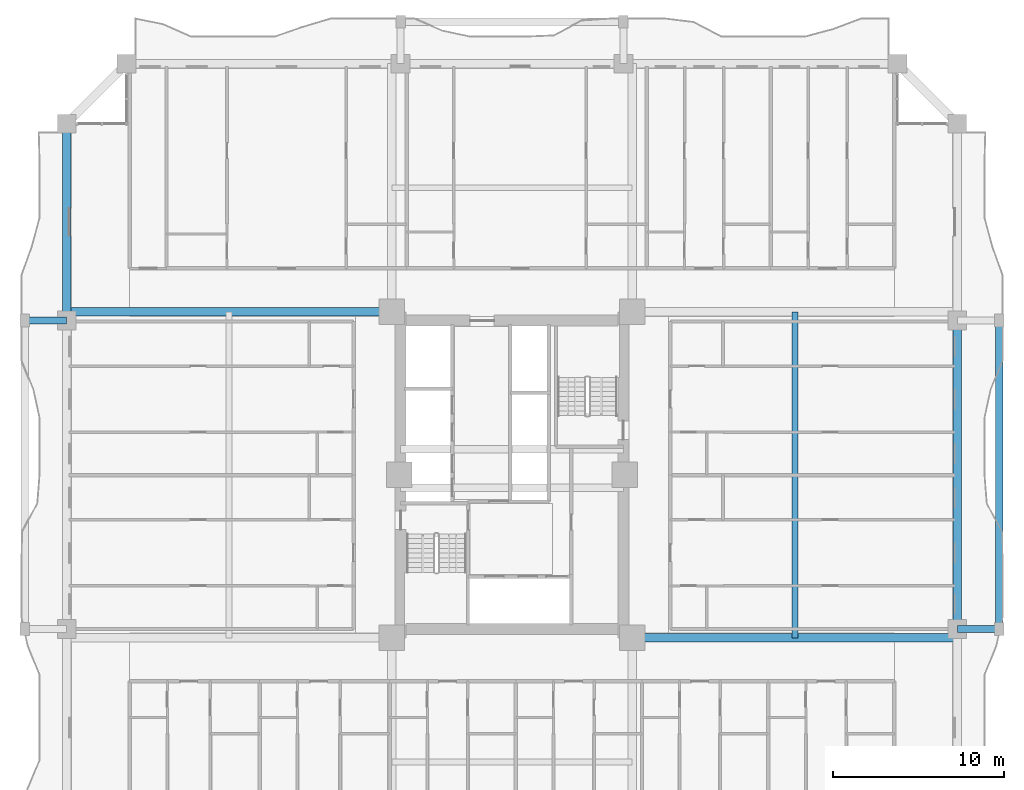
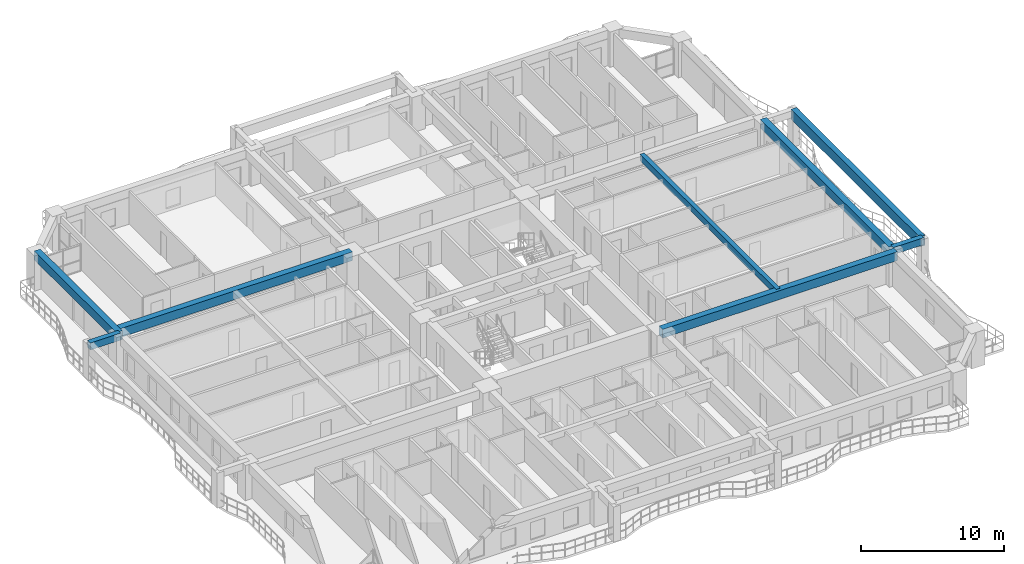
# One storey, part 5 of 28: 8 beams.
"""IFC4 building model written with IfcOpenShell, lengths in metres."""

from ifc_helpers import new_model, si_unit, direction, frame, origin, origin_2d, place, context, subcontext, project, spatial, rectangle, extrude, source, transform, mapped, material, material_profile, profile_set, type_object, element, save


model = new_model("IFC4")

# Units and contexts
model_context = context("Model", 3, precision=1e-05, world=origin(), true_north=direction((0.0, 1.0)))
body_context = subcontext(model_context, "Body", "Model", "MODEL_VIEW")
ifc_project = project(units=[si_unit("LENGTHUNIT", "METRE"), si_unit("AREAUNIT", "SQUARE_METRE"), si_unit("VOLUMEUNIT", "CUBIC_METRE"), si_unit("PLANEANGLEUNIT", "RADIAN"), si_unit("MASSUNIT", "GRAM", prefix="KILO")], contexts=[model_context])

# Site, building, storey
site_placement = place(None, origin())
site = spatial("IfcSite", under=ifc_project, at=site_placement, CompositionType="ELEMENT")
building_placement = place(site_placement, origin())
building = spatial("IfcBuilding", under=site, at=building_placement, Name="Saelheon Loggia Tower", CompositionType="ELEMENT")
storey_placement = place(building_placement, frame((0.0, 0.0, 25.39990234375)))
storey = spatial("IfcBuildingStorey", under=building, at=storey_placement, Name="L07", CompositionType="ELEMENT", Elevation=25.39990234375)

# Beams
ifc_material_1 = material(Name="Concrete C45/55", Category="concrete")
ifc_material_profile_1 = material_profile(ifc_material_1, rectangle(XDim=0.5, YDim=0.75, at=origin_2d()), Name="RC-500x750")
ifc_profile_set_1 = profile_set([ifc_material_profile_1], Name="Concrete C45/55")
beam_type_1 = type_object("IfcBeamType", Name="Beam_PerimGirder_RC500x750", PredefinedType="BEAM", material=ifc_profile_set_1)
shared_shape_1 = source(origin(), body_context, "Body", "SweptSolid", [
    extrude(rectangle(XDim=0.5, YDim=0.75, at=origin_2d()), origin(), (0.0, 0.0, 1.0), 11.5),
])
beam_1_placement = place(storey_placement, frame((12.0, 47.5, 2.625), z_axis=(0.0, -1.0, 0.0), x_axis=(1.0, 0.0, 0.0)))
element("IfcBeam", 1, at=beam_1_placement, inside=storey, type_object=beam_type_1, Name="L07 Perimeter Frame Girder 13", PredefinedType="BEAM", context=body_context, shape_type="MappedRepresentation", body=[
    mapped(shared_shape_1, transform((0.0, 0.0, 0.0), scale=1.0)),
])
shared_shape_2 = source(origin(), body_context, "Body", "SweptSolid", [
    extrude(rectangle(XDim=0.5, YDim=0.75, at=origin_2d()), origin(), (0.0, 0.0, 1.0), 18.0),
])
beam_2_placement = place(storey_placement, frame((64.0, 18.0, 2.625), z_axis=(0.0, 1.0, 0.0), x_axis=(-1.0, 0.0, 0.0)))
element("IfcBeam", 2, at=beam_2_placement, inside=storey, type_object=beam_type_1, Name="L07 Perimeter Frame Girder 06", PredefinedType="BEAM", context=body_context, shape_type="MappedRepresentation", body=[
    mapped(shared_shape_2, transform((0.0, 0.0, 0.0), scale=1.0)),
])
ifc_material_profile_2 = material_profile(ifc_material_1, rectangle(XDim=0.5, YDim=0.75, at=origin_2d()), Name="RC-500x750")
ifc_profile_set_2 = profile_set([ifc_material_profile_2], Name="Concrete C45/55")
beam_type_2 = type_object("IfcBeamType", Name="Beam_FloorGirder_RC500x750", PredefinedType="BEAM", material=ifc_profile_set_2)
shared_shape_3 = source(origin(), body_context, "Body", "SweptSolid", [
    extrude(rectangle(XDim=0.5, YDim=0.75, at=origin_2d()), origin(), (0.0, 0.0, 1.0), 18.97998046875),
])
for number, where, z_axis, x_axis, name in (
    (3, (30.97998046875, 36.52001953125, 2.625), (-1.0, 0.0, 0.0), (0.0, -1.0, 0.0), "L07 Radial Floor Girder RAD-NW-W"),
    (4, (45.02001953125, 17.47998046875, 2.625), (1.0, 0.0, 0.0), (0.0, 1.0, 0.0), "L07 Radial Floor Girder RAD-SE-E"),
):
    element("IfcBeam", number, at=place(storey_placement, frame(where, z_axis=z_axis, x_axis=x_axis)), inside=storey, type_object=beam_type_2, Name=name, PredefinedType="BEAM", context=body_context, shape_type="MappedRepresentation", body=[
        mapped(shared_shape_3, transform((0.0, 0.0, 0.0), scale=1.0)),
    ])
ifc_material_2 = material(Name="Concrete C40/50", Category="concrete")
ifc_material_profile_3 = material_profile(ifc_material_2, rectangle(XDim=0.35009765625, YDim=0.550048828125, at=origin_2d()), Name="RC-350x550")
ifc_profile_set_3 = profile_set([ifc_material_profile_3], Name="Concrete C40/50")
beam_type_3 = type_object("IfcBeamType", Name="Beam_Joist_RC350x550", PredefinedType="JOIST", material=ifc_profile_set_3)
shared_shape_4 = source(origin(), body_context, "Body", "SweptSolid", [
    extrude(rectangle(XDim=0.35009765625, YDim=0.550048828125, at=origin_2d()), origin(), (0.0, 0.0, 1.0), 19.0400390625),
])
beam_3_placement = place(storey_placement, frame((54.510009765625, 17.47998046875, 2.72509765625), z_axis=(0.0, 1.0, 0.0), x_axis=(-1.0, 0.0, 0.0)))
element("IfcBeam", 5, at=beam_3_placement, inside=storey, type_object=beam_type_3, Name="L07 East Floor Joist", PredefinedType="JOIST", context=body_context, shape_type="MappedRepresentation", body=[
    mapped(shared_shape_4, transform((0.0, 0.0, 0.0), scale=1.0)),
])
ifc_material_3 = material(Name="Precast Concrete C45/55", Category="concrete")
ifc_material_profile_4 = material_profile(ifc_material_3, rectangle(XDim=0.39990234375, YDim=0.60009765625, at=origin_2d()), Name="RC-400x600")
ifc_profile_set_4 = profile_set([ifc_material_profile_4], Name="Precast Concrete C45/55")
beam_type_4 = type_object("IfcBeamType", Name="Beam_LoggiaTie_RC400x600", PredefinedType="BEAM", material=ifc_profile_set_4)
shared_shape_5 = source(origin(), body_context, "Body", "SweptSolid", [
    extrude(rectangle(XDim=0.39990234375, YDim=0.60009765625, at=origin_2d()), origin(), (0.0, 0.0, 1.0), 2.449951171875),
])
for number, where, z_axis, x_axis, name in (
    (6, (64.0, 18.0, 2.7001953125), (1.0, 0.0, 0.0), (0.0, 1.0, 0.0), "L07 Loggia Frame Tie Beam LP-E1"),
    (7, (12.0, 36.0, 2.7001953125), (-1.0, 0.0, 0.0), (0.0, -1.0, 0.0), "L07 Loggia Frame Tie Beam LP-W2"),
):
    element("IfcBeam", number, at=place(storey_placement, frame(where, z_axis=z_axis, x_axis=x_axis)), inside=storey, type_object=beam_type_4, Name=name, PredefinedType="BEAM", context=body_context, shape_type="MappedRepresentation", body=[
        mapped(shared_shape_5, transform((0.0, 0.0, 0.0), scale=1.0)),
    ])
ifc_material_profile_5 = material_profile(ifc_material_3, rectangle(XDim=0.449951171875, YDim=0.85009765625, at=origin_2d()), Name="RC-450x850")
ifc_profile_set_5 = profile_set([ifc_material_profile_5], Name="Precast Concrete C45/55")
beam_type_5 = type_object("IfcBeamType", Name="Beam_LoggiaSpandrel_RC450x850", PredefinedType="SPANDREL", material=ifc_profile_set_5)
shared_shape_6 = source(origin(), body_context, "Body", "SweptSolid", [
    extrude(rectangle(XDim=0.449951171875, YDim=0.85009765625, at=origin_2d()), origin(), (0.0, 0.0, 1.0), 18.0),
])
beam_4_placement = place(storey_placement, frame((66.449951171875, 18.0, 2.5751953125), z_axis=(0.0, 1.0, 0.0), x_axis=(-1.0, 0.0, 0.0)))
element("IfcBeam", 8, at=beam_4_placement, inside=storey, type_object=beam_type_5, Name="L07 Loggia Spandrel Beam E", PredefinedType="SPANDREL", context=body_context, shape_type="MappedRepresentation", body=[
    mapped(shared_shape_6, transform((0.0, 0.0, 0.0), scale=1.0)),
])

save(model, "model.ifc")
